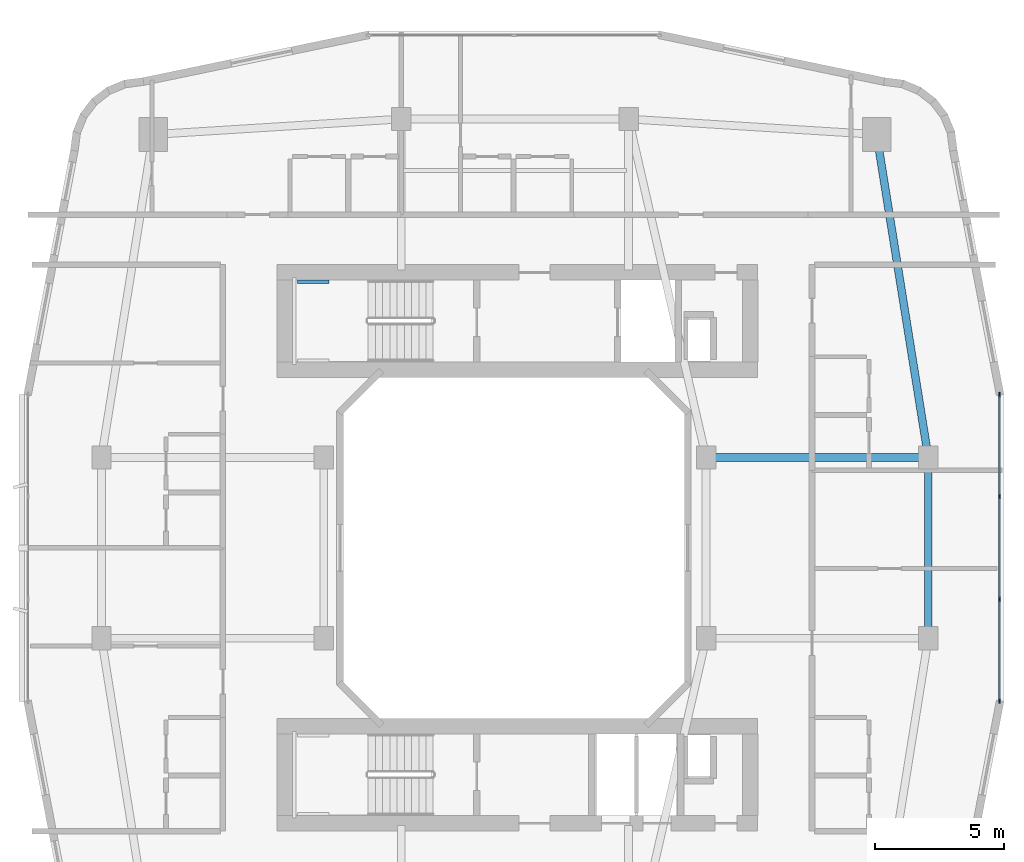
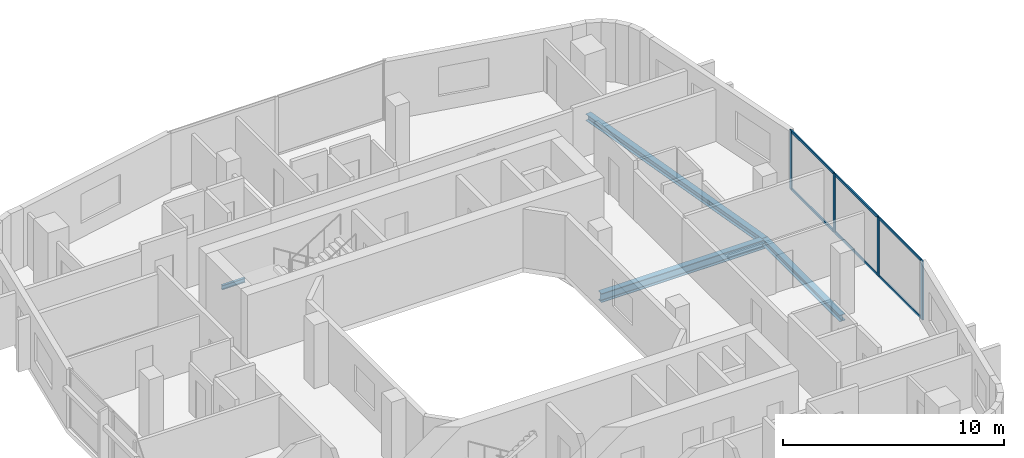
# One storey, part 10 of 26: 10 members, 4 beams, 1 element without a shape of its own.
"""IFC4 building model written with IfcOpenShell, lengths in metres."""

from ifc_helpers import new_model, si_unit, derived_unit, direction, frame, origin, origin_2d, place, context, subcontext, project, spatial, rectangle, i_section, extrude, material, layer, layer_set, material_profile, profile_set, type_object, element, aggregate, save


model = new_model("IFC4")

# Units and contexts
model_context = context("Model", 3, precision=1e-05, world=origin(), true_north=direction((0.0, 1.0)))
body_context = subcontext(model_context, "Body", "Model", "MODEL_VIEW")
ifc_project = project(units=[si_unit("LENGTHUNIT", "METRE"), si_unit("AREAUNIT", "SQUARE_METRE"), si_unit("VOLUMEUNIT", "CUBIC_METRE"), si_unit("PLANEANGLEUNIT", "RADIAN"), si_unit("MASSUNIT", "GRAM", prefix="KILO"), derived_unit("THERMALTRANSMITTANCEUNIT", [(si_unit("POWERUNIT", "WATT"), 1), (si_unit("LENGTHUNIT", "METRE"), -2), (si_unit("THERMODYNAMICTEMPERATUREUNIT", "KELVIN"), -1)])], contexts=[model_context])

# Site, building, storey
site_placement = place(None, origin())
site = spatial("IfcSite", under=ifc_project, at=site_placement, CompositionType="ELEMENT")
building_placement = place(site_placement, origin())
building = spatial("IfcBuilding", under=site, at=building_placement, Name="Kivonza Crest Hotel", CompositionType="ELEMENT")
storey_placement = place(building_placement, frame((0.0, 0.0, 45.0)))
storey = spatial("IfcBuildingStorey", under=building, at=storey_placement, Name="L11", CompositionType="ELEMENT", Elevation=45.0)

# Beams
ifc_material_1 = material(Name="Steel S355", Category="steel")
ifc_material_profile_1 = material_profile(ifc_material_1, i_section(OverallWidth=0.300048828125, OverallDepth=0.360107421875, WebThickness=0.012451171875, FlangeThickness=0.0224609375, FilletRadius=0.027099609375, at=origin_2d()), Name="HEB 360")
ifc_profile_set_1 = profile_set([ifc_material_profile_1], Name="Steel S355")
beam_type_1 = type_object("IfcBeamType", Name="BM-HEB360", PredefinedType="SPANDREL", material=ifc_profile_set_1)
beam_1_placement = place(storey_placement, frame((93.0, 21.5, -0.429931640625), z_axis=(0.0, 1.0, 0.0), x_axis=(-1.0, 0.0, 0.0)))
element("IfcBeam", 1, at=beam_1_placement, inside=storey, type_object=beam_type_1, Name="Companion Tower T2 L11 perimeter spandrel E1-E2", PredefinedType="SPANDREL", context=body_context, shape_type="SweptSolid", body=[
    extrude(i_section(OverallWidth=0.300048828125, OverallDepth=0.360107421875, WebThickness=0.012451171875, FlangeThickness=0.0224609375, FilletRadius=0.027099609375, at=origin_2d()), origin(), (0.0, 0.0, 1.0), 7.0),
])
beam_2_placement = place(storey_placement, frame((93.0, 28.5, -0.429931640625), z_axis=(-0.157990501107, 0.987440631917, 0.0), x_axis=(-0.987440631917, -0.157990501107, 0.0)))
element("IfcBeam", 2, at=beam_2_placement, inside=storey, type_object=beam_type_1, Name="Companion Tower T2 L11 perimeter spandrel E2-NE", PredefinedType="SPANDREL", context=body_context, shape_type="SweptSolid", body=[
    extrude(i_section(OverallWidth=0.300048828125, OverallDepth=0.360107421875, WebThickness=0.012451171875, FlangeThickness=0.0224609375, FilletRadius=0.027099609375, at=origin_2d()), origin(), (0.0, 0.0, 1.0), 12.658935546875),
])
ifc_material_profile_2 = material_profile(ifc_material_1, i_section(OverallWidth=0.300048828125, OverallDepth=0.5, WebThickness=0.014404296875, FlangeThickness=0.028076171875, FilletRadius=0.027099609375, at=origin_2d()), Name="HEB 500")
ifc_profile_set_2 = profile_set([ifc_material_profile_2], Name="Steel S355")
beam_type_2 = type_object("IfcBeamType", Name="BM-HEB500", PredefinedType="BEAM", material=ifc_profile_set_2)
beam_3_placement = place(storey_placement, frame((84.39990234375, 28.5, -0.5), z_axis=(1.0, 0.0, 0.0), x_axis=(0.0, 1.0, 0.0)))
element("IfcBeam", 3, at=beam_3_placement, inside=storey, type_object=beam_type_2, Name="Companion Tower T2 L11 girder WR2-E2", PredefinedType="BEAM", context=body_context, shape_type="SweptSolid", body=[
    extrude(i_section(OverallWidth=0.300048828125, OverallDepth=0.5, WebThickness=0.014404296875, FlangeThickness=0.028076171875, FilletRadius=0.027099609375, at=origin_2d()), origin(), (0.0, 0.0, 1.0), 8.60009765625),
])
ifc_material_profile_3 = material_profile(ifc_material_1, i_section(OverallWidth=0.1201171875, OverallDepth=0.239990234375, WebThickness=0.006103515625, FlangeThickness=0.009765625, FilletRadius=0.014892578125, at=origin_2d()), Name="IPE 240")
ifc_profile_set_3 = profile_set([ifc_material_profile_3], Name="Steel S355")
beam_type_3 = type_object("IfcBeamType", Name="BM-LLDG-240", PredefinedType="BEAM", material=ifc_profile_set_3)
beam_4_placement = place(storey_placement, frame((68.590087890625, 35.300048828125, 1.429931640625), z_axis=(1.0, 0.0, 0.0), x_axis=(0.0, 1.0, 0.0)))
element("IfcBeam", 4, at=beam_4_placement, inside=storey, type_object=beam_type_3, Name="Stair ST-T2-N L11 North landing corbel", PredefinedType="BEAM", context=body_context, shape_type="SweptSolid", body=[
    extrude(i_section(OverallWidth=0.1201171875, OverallDepth=0.239990234375, WebThickness=0.006103515625, FlangeThickness=0.009765625, FilletRadius=0.014892578125, at=origin_2d()), origin(), (0.0, 0.0, 1.0), 1.2099609375),
])

# Curtain wall, members
ifc_material_2 = material(Name="Anodised bronze aluminium and low-E double glazing", Category="aluminium")
ifc_layer = layer(ifc_material_2, 0.179931640625)
ifc_layer_set = layer_set([ifc_layer], Name="Anodised bronze aluminium and low-E double glazing")
curtain_wall_type = type_object("IfcCurtainWallType", Name="CW-SYS-4", PredefinedType="NOTDEFINED", material=ifc_layer_set)
curtain_wall_placement = place(storey_placement, origin())
curtain_wall = element("IfcCurtainWall", 5, at=curtain_wall_placement, inside=storey, type_object=curtain_wall_type, Name="L11 unitised curtain wall CW-T2-L11-17", PredefinedType="NOTDEFINED")
ifc_material_3 = material(Name="Anodised bronze aluminium", Category="aluminium")
ifc_material_profile_4 = material_profile(ifc_material_3, rectangle(XDim=0.06494140625, YDim=0.179931640625, at=origin_2d()), Name="CW-M 65x180")
ifc_profile_set_4 = profile_set([ifc_material_profile_4], Name="Anodised bronze aluminium")
member_type_1 = type_object("IfcMemberType", Name="CW-MUL-65x180", PredefinedType="MULLION", material=ifc_profile_set_4)
member_1_placement = place(storey_placement, frame((95.760009765625, 19.072509765625, 0.0), z_axis=(0.0, 0.0, 1.0), x_axis=(-1.0, 0.0, 0.0)))
member_1 = element("IfcMember", 6, at=member_1_placement, type_object=member_type_1, Name="CW-4 mullion 1", PredefinedType="MULLION", context=body_context, shape_type="SweptSolid", body=[
    extrude(rectangle(XDim=0.06494140625, YDim=0.179931640625, at=origin_2d()), origin(), (0.0, 0.0, 1.0), 3.25),
])
member_2_placement = place(storey_placement, frame((95.760009765625, 23.013427734375, 0.0), z_axis=(0.0, 0.0, 1.0), x_axis=(-1.0, 0.0, 0.0)))
member_2 = element("IfcMember", 7, at=member_2_placement, type_object=member_type_1, Name="CW-4 mullion 2", PredefinedType="MULLION", context=body_context, shape_type="SweptSolid", body=[
    extrude(rectangle(XDim=0.06494140625, YDim=0.179931640625, at=origin_2d()), origin(), (0.0, 0.0, 1.0), 3.25),
])
member_3_placement = place(storey_placement, frame((95.760009765625, 26.986572265625, 0.0), z_axis=(0.0, 0.0, 1.0), x_axis=(-1.0, 0.0, 0.0)))
member_3 = element("IfcMember", 8, at=member_3_placement, type_object=member_type_1, Name="CW-4 mullion 3", PredefinedType="MULLION", context=body_context, shape_type="SweptSolid", body=[
    extrude(rectangle(XDim=0.06494140625, YDim=0.179931640625, at=origin_2d()), origin(), (0.0, 0.0, 1.0), 3.25),
])
member_4_placement = place(storey_placement, frame((95.760009765625, 30.927490234375, 0.0), z_axis=(0.0, 0.0, 1.0), x_axis=(-1.0, 0.0, 0.0)))
member_4 = element("IfcMember", 9, at=member_4_placement, type_object=member_type_1, Name="CW-4 mullion 4", PredefinedType="MULLION", context=body_context, shape_type="SweptSolid", body=[
    extrude(rectangle(XDim=0.06494140625, YDim=0.179931640625, at=origin_2d()), origin(), (0.0, 0.0, 1.0), 3.25),
])
ifc_material_profile_5 = material_profile(ifc_material_3, rectangle(XDim=0.06494140625, YDim=0.139892578125, at=origin_2d()), Name="CW-T 65x140")
ifc_profile_set_5 = profile_set([ifc_material_profile_5], Name="Anodised bronze aluminium")
member_type_2 = type_object("IfcMemberType", Name="CW-TRN-65x140", PredefinedType="USERDEFINED", material=ifc_profile_set_5)
member_5_placement = place(storey_placement, frame((95.760009765625, 19.10498046875, 0.032470703125), z_axis=(0.0, 1.0, 0.0), x_axis=(-1.0, 0.0, 0.0)))
member_5 = element("IfcMember", 10, at=member_5_placement, type_object=member_type_2, Name="CW-4 transom 1.1", ObjectType="TRANSOM", PredefinedType="USERDEFINED", context=body_context, shape_type="SweptSolid", body=[
    extrude(rectangle(XDim=0.06494140625, YDim=0.139892578125, at=origin_2d()), origin(), (0.0, 0.0, 1.0), 3.875732421875),
])
member_6_placement = place(storey_placement, frame((95.760009765625, 19.10498046875, 3.217529296875), z_axis=(0.0, 1.0, 0.0), x_axis=(-1.0, 0.0, 0.0)))
member_6 = element("IfcMember", 11, at=member_6_placement, type_object=member_type_2, Name="CW-4 transom 1.2", ObjectType="TRANSOM", PredefinedType="USERDEFINED", context=body_context, shape_type="SweptSolid", body=[
    extrude(rectangle(XDim=0.06494140625, YDim=0.139892578125, at=origin_2d()), origin(), (0.0, 0.0, 1.0), 3.875732421875),
])
member_7_placement = place(storey_placement, frame((95.760009765625, 23.0458984375, 0.032470703125), z_axis=(0.0, 1.0, 0.0), x_axis=(-1.0, 0.0, 0.0)))
member_7 = element("IfcMember", 12, at=member_7_placement, type_object=member_type_2, Name="CW-4 transom 2.1", ObjectType="TRANSOM", PredefinedType="USERDEFINED", context=body_context, shape_type="SweptSolid", body=[
    extrude(rectangle(XDim=0.06494140625, YDim=0.139892578125, at=origin_2d()), origin(), (0.0, 0.0, 1.0), 3.908203125),
])
member_8_placement = place(storey_placement, frame((95.760009765625, 23.0458984375, 3.217529296875), z_axis=(0.0, 1.0, 0.0), x_axis=(-1.0, 0.0, 0.0)))
member_8 = element("IfcMember", 13, at=member_8_placement, type_object=member_type_2, Name="CW-4 transom 2.2", ObjectType="TRANSOM", PredefinedType="USERDEFINED", context=body_context, shape_type="SweptSolid", body=[
    extrude(rectangle(XDim=0.06494140625, YDim=0.139892578125, at=origin_2d()), origin(), (0.0, 0.0, 1.0), 3.908203125),
])
member_9_placement = place(storey_placement, frame((95.760009765625, 27.019287109375, 0.032470703125), z_axis=(0.0, 1.0, 0.0), x_axis=(-1.0, 0.0, 0.0)))
member_9 = element("IfcMember", 14, at=member_9_placement, type_object=member_type_2, Name="CW-4 transom 3.1", ObjectType="TRANSOM", PredefinedType="USERDEFINED", context=body_context, shape_type="SweptSolid", body=[
    extrude(rectangle(XDim=0.06494140625, YDim=0.139892578125, at=origin_2d()), origin(), (0.0, 0.0, 1.0), 3.875732421875),
])
member_10_placement = place(storey_placement, frame((95.760009765625, 27.019287109375, 3.217529296875), z_axis=(0.0, 1.0, 0.0), x_axis=(-1.0, 0.0, 0.0)))
member_10 = element("IfcMember", 15, at=member_10_placement, type_object=member_type_2, Name="CW-4 transom 3.2", ObjectType="TRANSOM", PredefinedType="USERDEFINED", context=body_context, shape_type="SweptSolid", body=[
    extrude(rectangle(XDim=0.06494140625, YDim=0.139892578125, at=origin_2d()), origin(), (0.0, 0.0, 1.0), 3.875732421875),
])
aggregate(curtain_wall, [member_1, member_2, member_3, member_4, member_5, member_6, member_7, member_8, member_9, member_10])

save(model, "model.ifc")
